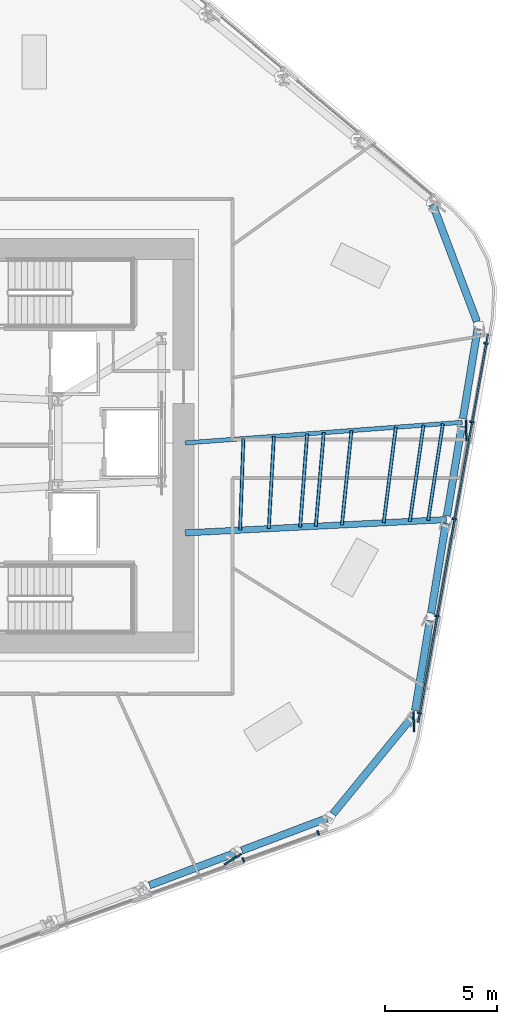
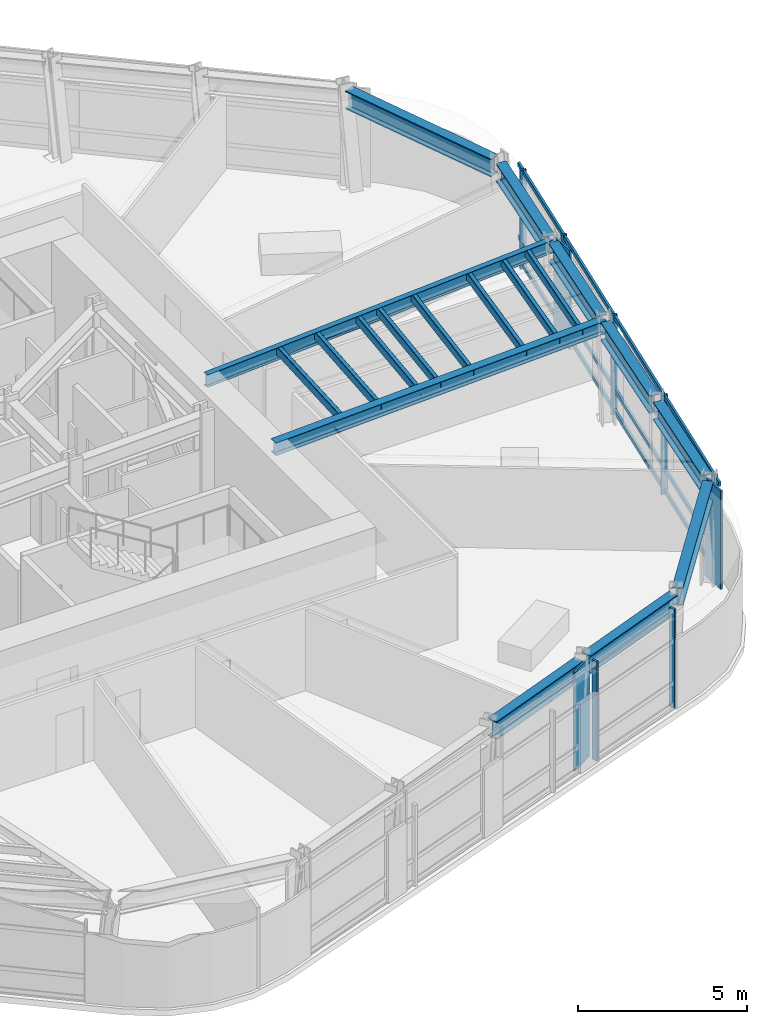
# One storey, part 5 of 18: 22 members, 10 beams, 2 elements without a shape of their own.
"""IFC4 building model written with IfcOpenShell, lengths in metres."""

from ifc_helpers import new_model, si_unit, direction, frame, origin, origin_2d, place, context, subcontext, project, spatial, rectangle, hollow_rectangle, i_section, extrude, material, layer, layer_set, material_profile, profile_set, type_object, element, aggregate, save


model = new_model("IFC4")

# Units and contexts
model_context = context("Model", 3, precision=1e-05, world=origin(), true_north=direction((0.0, 1.0)))
body_context = subcontext(model_context, "Body", "Model", "MODEL_VIEW")
ifc_project = project(units=[si_unit("LENGTHUNIT", "METRE"), si_unit("AREAUNIT", "SQUARE_METRE"), si_unit("VOLUMEUNIT", "CUBIC_METRE"), si_unit("PLANEANGLEUNIT", "RADIAN"), si_unit("MASSUNIT", "GRAM", prefix="KILO")], contexts=[model_context])

# Site, building, storey
site_placement = place(None, origin())
site = spatial("IfcSite", under=ifc_project, at=site_placement, CompositionType="ELEMENT")
building_placement = place(site_placement, origin())
building = spatial("IfcBuilding", under=site, at=building_placement, Name="Valkerne Bourse Tower", CompositionType="ELEMENT")
storey_placement = place(building_placement, frame((0.0, 0.0, 108.60009765625)))
storey = spatial("IfcBuildingStorey", under=building, at=storey_placement, Name="L27", CompositionType="ELEMENT", Elevation=108.60009765625)

# Beams
ifc_material_1 = material(Name="Steel ASTM A992", Category="steel")
ifc_material_profile_1 = material_profile(ifc_material_1, i_section(OverallWidth=0.1904296875, OverallDepth=0.457275390625, WebThickness=0.009033203125, FlangeThickness=0.014404296875, FilletRadius=0.01513671875, at=origin_2d()), Name="W18X50")
ifc_profile_set_1 = profile_set([ifc_material_profile_1], Name="Steel ASTM A992")
beam_type_1 = type_object("IfcBeamType", Name="BM-W18X50", PredefinedType="JOIST", material=ifc_profile_set_1)
beam_1_placement = place(storey_placement, frame((68.31884765625, 27.91748046875, 3.351318359375), z_axis=(-0.99723801501, -0.074272076983, 0.0), x_axis=(0.074272076983, -0.99723801501, 0.0)))
element("IfcBeam", 1, at=beam_1_placement, inside=storey, type_object=beam_type_1, Name="L27 Radial Composite Floor Beam 28", PredefinedType="JOIST", context=body_context, shape_type="SweptSolid", body=[
    extrude(i_section(OverallWidth=0.1904296875, OverallDepth=0.457275390625, WebThickness=0.009033203125, FlangeThickness=0.014404296875, FilletRadius=0.01513671875, at=origin_2d()), origin(), (0.0, 0.0, 1.0), 12.35302734375),
])
ifc_material_profile_2 = material_profile(ifc_material_1, i_section(OverallWidth=0.279296875, OverallDepth=0.46240234375, WebThickness=0.0107421875, FlangeThickness=0.017333984375, FilletRadius=0.017822265625, at=origin_2d()), Name="W18X76")
ifc_profile_set_2 = profile_set([ifc_material_profile_2], Name="Steel ASTM A992")
beam_type_2 = type_object("IfcBeamType", Name="BM-W18X76", PredefinedType="BEAM", material=ifc_profile_set_2)
beam_2_placement = place(storey_placement, frame((67.610595703125, 23.592041015625, 3.348876953125), z_axis=(-0.998702466196, -0.050925278729, 0.0), x_axis=(0.050925278729, -0.998702466196, 0.0)))
element("IfcBeam", 2, at=beam_2_placement, inside=storey, type_object=beam_type_2, Name="L27 Radial Composite Floor Beam 27", PredefinedType="BEAM", context=body_context, shape_type="SweptSolid", body=[
    extrude(i_section(OverallWidth=0.279296875, OverallDepth=0.46240234375, WebThickness=0.0107421875, FlangeThickness=0.017333984375, FilletRadius=0.017822265625, at=origin_2d()), origin(), (0.0, 0.0, 1.0), 11.625732421875),
])
ifc_material_profile_3 = material_profile(ifc_material_1, i_section(OverallWidth=0.330078125, OverallDepth=0.647705078125, WebThickness=0.0205078125, FlangeThickness=0.037109375, FilletRadius=0.020263671875, at=origin_2d()), Name="W24X192")
ifc_profile_set_3 = profile_set([ifc_material_profile_3], Name="Steel ASTM A992")
beam_type_3 = type_object("IfcBeamType", Name="BM-W24X192", PredefinedType="SPANDREL", material=ifc_profile_set_3)
beam_3_placement = place(storey_placement, frame((54.4130859375, 7.333740234375, 3.256103515625), z_axis=(0.935455234344, 0.353445193119, 0.0), x_axis=(-0.353445193119, 0.935455234344, 0.0)))
element("IfcBeam", 3, at=beam_3_placement, inside=storey, type_object=beam_type_3, Name="L27 Hexagonal Spandrel Ring Beam 22", PredefinedType="SPANDREL", context=body_context, shape_type="SweptSolid", body=[
    extrude(i_section(OverallWidth=0.330078125, OverallDepth=0.647705078125, WebThickness=0.0205078125, FlangeThickness=0.037109375, FilletRadius=0.020263671875, at=origin_2d()), origin(), (0.0, 0.0, 1.0), 4.04296875),
])
beam_4_placement = place(storey_placement, frame((58.512939453125, 8.883056640625, 3.256103515625), z_axis=(0.935462777462, 0.353425228278, 0.0), x_axis=(-0.353425228278, 0.935462777462, 0.0)))
element("IfcBeam", 4, at=beam_4_placement, inside=storey, type_object=beam_type_3, Name="L27 Hexagonal Spandrel Ring Beam 23", PredefinedType="SPANDREL", context=body_context, shape_type="SweptSolid", body=[
    extrude(i_section(OverallWidth=0.330078125, OverallDepth=0.647705078125, WebThickness=0.0205078125, FlangeThickness=0.037109375, FilletRadius=0.020263671875, at=origin_2d()), origin(), (0.0, 0.0, 1.0), 4.043212890625),
])
beam_5_placement = place(storey_placement, frame((62.561767578125, 10.50390625, 3.256103515625), z_axis=(0.633388302031, 0.77383412877, 0.0), x_axis=(-0.77383412877, 0.633388302031, 0.0)))
element("IfcBeam", 5, at=beam_5_placement, inside=storey, type_object=beam_type_3, Name="L27 Hexagonal Spandrel Ring Beam 24", PredefinedType="SPANDREL", context=body_context, shape_type="SweptSolid", body=[
    extrude(i_section(OverallWidth=0.330078125, OverallDepth=0.647705078125, WebThickness=0.0205078125, FlangeThickness=0.037109375, FilletRadius=0.020263671875, at=origin_2d()), origin(), (0.0, 0.0, 1.0), 5.564453125),
])
beam_6_placement = place(storey_placement, frame((66.221435546875, 15.109130859375, 3.256103515625), z_axis=(0.161588008685, 0.986858305659, 0.0), x_axis=(-0.986858305659, 0.161588008685, 0.0)))
element("IfcBeam", 6, at=beam_6_placement, inside=storey, type_object=beam_type_3, Name="L27 Hexagonal Spandrel Ring Beam 25", PredefinedType="SPANDREL", context=body_context, shape_type="SweptSolid", body=[
    extrude(i_section(OverallWidth=0.330078125, OverallDepth=0.647705078125, WebThickness=0.0205078125, FlangeThickness=0.037109375, FilletRadius=0.020263671875, at=origin_2d()), origin(), (0.0, 0.0, 1.0), 4.043212890625),
])
for number, where, z_axis, x_axis, name in (
    (7, (66.9296875, 19.4345703125, 3.256103515625), (0.161597638379, 0.986856728847, 0.0), (-0.986856728847, 0.161597638379, 0.0), "L27 Hexagonal Spandrel Ring Beam 26"),
    (8, (67.637939453125, 23.760009765625, 3.256103515625), (0.161597638379, 0.986856728847, 0.0), (-0.986856728847, 0.161597638379, 0.0), "L27 Hexagonal Spandrel Ring Beam 27"),
):
    element("IfcBeam", number, at=place(storey_placement, frame(where, z_axis=z_axis, x_axis=x_axis)), inside=storey, type_object=beam_type_3, Name=name, PredefinedType="SPANDREL", context=body_context, shape_type="SweptSolid", body=[
        extrude(i_section(OverallWidth=0.330078125, OverallDepth=0.647705078125, WebThickness=0.0205078125, FlangeThickness=0.037109375, FilletRadius=0.020263671875, at=origin_2d()), origin(), (0.0, 0.0, 1.0), 4.04296875),
    ])
beam_7_placement = place(storey_placement, frame((68.34619140625, 28.085205078125, 3.256103515625), z_axis=(0.161646815312, 0.986848674874, 0.0), x_axis=(-0.986848674874, 0.161646815312, 0.0)))
element("IfcBeam", 9, at=beam_7_placement, inside=storey, type_object=beam_type_3, Name="L27 Hexagonal Spandrel Ring Beam 28", PredefinedType="SPANDREL", context=body_context, shape_type="SweptSolid", body=[
    extrude(i_section(OverallWidth=0.330078125, OverallDepth=0.647705078125, WebThickness=0.0205078125, FlangeThickness=0.037109375, FilletRadius=0.020263671875, at=origin_2d()), origin(), (0.0, 0.0, 1.0), 4.043212890625),
])
beam_8_placement = place(storey_placement, frame((68.967041015625, 32.40185546875, 3.256103515625), z_axis=(-0.353478206483, 0.935442760163, 0.0), x_axis=(-0.935442760163, -0.353478206483, 0.0)))
element("IfcBeam", 10, at=beam_8_placement, inside=storey, type_object=beam_type_3, Name="L27 Hexagonal Spandrel Ring Beam 29", PredefinedType="SPANDREL", context=body_context, shape_type="SweptSolid", body=[
    extrude(i_section(OverallWidth=0.330078125, OverallDepth=0.647705078125, WebThickness=0.0205078125, FlangeThickness=0.037109375, FilletRadius=0.020263671875, at=origin_2d()), origin(), (0.0, 0.0, 1.0), 5.564697265625),
])

# Curtain wall, members
ifc_material_2 = material(Name="Aluminium AA 6063-T6", Category="aluminium")
ifc_layer = layer(ifc_material_2, 0.22998046875)
ifc_layer_set = layer_set([ifc_layer], Name="Aluminium AA 6063-T6")
curtain_wall_type = type_object("IfcCurtainWallType", Name="CW-02", PredefinedType="NOTDEFINED", material=ifc_layer_set)
curtain_wall_1_placement = place(storey_placement, origin())
curtain_wall_1 = element("IfcCurtainWall", 11, at=curtain_wall_1_placement, inside=storey, type_object=curtain_wall_type, Name="L27 Hexagonal Stick Curtain Wall Face 5", PredefinedType="NOTDEFINED")
ifc_material_profile_4 = material_profile(ifc_material_2, rectangle(XDim=0.074951171875, YDim=0.199951171875, at=origin_2d()), Name="CWM-75X200")
ifc_profile_set_4 = profile_set([ifc_material_profile_4], Name="Aluminium AA 6063-T6")
member_type_1 = type_object("IfcMemberType", Name="CW-MUL-220X75", PredefinedType="MULLION", material=ifc_profile_set_4)
member_1_placement = place(storey_placement, frame((58.577392578125, 8.466064453125, 0.0), z_axis=(0.0, 0.0, 1.0), x_axis=(0.940887702719, 0.338718660355, 0.0)))
member_1 = element("IfcMember", 12, at=member_1_placement, type_object=member_type_1, Name="CW-L27-F5 Jamb Mullion 03A", PredefinedType="MULLION", context=body_context, shape_type="SweptSolid", body=[
    extrude(rectangle(XDim=0.074951171875, YDim=0.199951171875, at=origin_2d()), origin(), (0.0, 0.0, 1.0), 3.579833984375),
])
member_2_placement = place(storey_placement, frame((61.910888671875, 9.666015625, 0.0), z_axis=(0.0, 0.0, 1.0), x_axis=(0.940887702719, 0.338718660355, 0.0)))
member_2 = element("IfcMember", 13, at=member_2_placement, type_object=member_type_1, Name="CW-L27-F5 Jamb Mullion 03B", PredefinedType="MULLION", context=body_context, shape_type="SweptSolid", body=[
    extrude(rectangle(XDim=0.074951171875, YDim=0.199951171875, at=origin_2d()), origin(), (0.0, 0.0, 1.0), 3.579833984375),
])
aggregate(curtain_wall_1, [member_1, member_2])

curtain_wall_2_placement = place(storey_placement, origin())
curtain_wall_2 = element("IfcCurtainWall", 14, at=curtain_wall_2_placement, inside=storey, type_object=curtain_wall_type, Name="L27 Hexagonal Stick Curtain Wall Face 6", PredefinedType="NOTDEFINED")
member_3_placement = place(storey_placement, frame((66.4111328125, 14.991455078125, 0.0), z_axis=(0.0, 0.0, 1.0), x_axis=(0.177090236741, 0.984194618991, 0.0)))
member_3 = element("IfcMember", 15, at=member_3_placement, type_object=member_type_1, Name="CW-L27-F6 Jamb Mullion 00A", PredefinedType="MULLION", context=body_context, shape_type="SweptSolid", body=[
    extrude(rectangle(XDim=0.074951171875, YDim=0.199951171875, at=origin_2d()), origin(), (0.0, 0.0, 1.0), 3.579833984375),
])
member_4_placement = place(storey_placement, frame((67.187255859375, 19.30517578125, 0.0), z_axis=(0.0, 0.0, 1.0), x_axis=(0.177072113159, 0.98419787987, 0.0)))
member_4 = element("IfcMember", 16, at=member_4_placement, type_object=member_type_1, Name="CW-L27-F6 Jamb Mullion 01A", PredefinedType="MULLION", context=body_context, shape_type="SweptSolid", body=[
    extrude(rectangle(XDim=0.074951171875, YDim=0.199951171875, at=origin_2d()), origin(), (0.0, 0.0, 1.0), 3.579833984375),
])
member_5_placement = place(storey_placement, frame((67.96337890625, 23.618896484375, 0.0), z_axis=(0.0, 0.0, 1.0), x_axis=(0.177094213282, 0.984193903467, 0.0)))
member_5 = element("IfcMember", 17, at=member_5_placement, type_object=member_type_1, Name="CW-L27-F6 Jamb Mullion 02A", PredefinedType="MULLION", context=body_context, shape_type="SweptSolid", body=[
    extrude(rectangle(XDim=0.074951171875, YDim=0.199951171875, at=origin_2d()), origin(), (0.0, 0.0, 1.0), 3.579833984375),
])
member_6_placement = place(storey_placement, frame((68.739501953125, 27.9326171875, 0.0), z_axis=(0.0, 0.0, 1.0), x_axis=(0.177094213282, 0.984193903467, 0.0)))
member_6 = element("IfcMember", 18, at=member_6_placement, type_object=member_type_1, Name="CW-L27-F6 Jamb Mullion 03A", PredefinedType="MULLION", context=body_context, shape_type="SweptSolid", body=[
    extrude(rectangle(XDim=0.074951171875, YDim=0.199951171875, at=origin_2d()), origin(), (0.0, 0.0, 1.0), 3.579833984375),
])
member_7_placement = place(storey_placement, frame((69.366943359375, 31.41943359375, 0.0), z_axis=(0.0, 0.0, 1.0), x_axis=(0.177094213282, 0.984193903467, 0.0)))
member_7 = element("IfcMember", 19, at=member_7_placement, type_object=member_type_1, Name="CW-L27-F6 Jamb Mullion 03B", PredefinedType="MULLION", context=body_context, shape_type="SweptSolid", body=[
    extrude(rectangle(XDim=0.074951171875, YDim=0.199951171875, at=origin_2d()), origin(), (0.0, 0.0, 1.0), 3.579833984375),
])
ifc_material_profile_5 = material_profile(ifc_material_2, rectangle(XDim=0.074951171875, YDim=0.14990234375, at=origin_2d()), Name="CWT-75X150")
ifc_profile_set_5 = profile_set([ifc_material_profile_5], Name="Aluminium AA 6063-T6")
member_type_2 = type_object("IfcMemberType", Name="CW-TRN-180X65", PredefinedType="USERDEFINED", material=ifc_profile_set_5)
member_8_placement = place(storey_placement, frame((66.3564453125, 14.574462890625, 0.119873046875), z_axis=(0.177089872149, 0.984194684594, 0.0), x_axis=(-0.984194684594, 0.177089872149, 0.0)))
member_8 = element("IfcMember", 20, at=member_8_placement, type_object=member_type_2, Name="CW-L27-F6 Continuous Face Transom 1", ObjectType="TRANSOM", PredefinedType="USERDEFINED", context=body_context, shape_type="SweptSolid", body=[
    extrude(rectangle(XDim=0.074951171875, YDim=0.14990234375, at=origin_2d()), origin(), (0.0, 0.0, 1.0), 17.531982421875),
])
member_9_placement = place(storey_placement, frame((66.3564453125, 14.574462890625, 0.89990234375), z_axis=(0.177089872149, 0.984194684594, 0.0), x_axis=(-0.984194684594, 0.177089872149, 0.0)))
member_9 = element("IfcMember", 21, at=member_9_placement, type_object=member_type_2, Name="CW-L27-F6 Continuous Face Transom 2", ObjectType="TRANSOM", PredefinedType="USERDEFINED", context=body_context, shape_type="SweptSolid", body=[
    extrude(rectangle(XDim=0.074951171875, YDim=0.14990234375, at=origin_2d()), origin(), (0.0, 0.0, 1.0), 17.531982421875),
])
member_10_placement = place(storey_placement, frame((66.3564453125, 14.574462890625, 2.39990234375), z_axis=(0.177089872149, 0.984194684594, 0.0), x_axis=(-0.984194684594, 0.177089872149, 0.0)))
member_10 = element("IfcMember", 22, at=member_10_placement, type_object=member_type_2, Name="CW-L27-F6 Continuous Face Transom 3", ObjectType="TRANSOM", PredefinedType="USERDEFINED", context=body_context, shape_type="SweptSolid", body=[
    extrude(rectangle(XDim=0.074951171875, YDim=0.14990234375, at=origin_2d()), origin(), (0.0, 0.0, 1.0), 17.531982421875),
])
member_11_placement = place(storey_placement, frame((66.3564453125, 14.574462890625, 3.5), z_axis=(0.177089872149, 0.984194684594, 0.0), x_axis=(-0.984194684594, 0.177089872149, 0.0)))
member_11 = element("IfcMember", 23, at=member_11_placement, type_object=member_type_2, Name="CW-L27-F6 Continuous Face Transom 4", ObjectType="TRANSOM", PredefinedType="USERDEFINED", context=body_context, shape_type="SweptSolid", body=[
    extrude(rectangle(XDim=0.074951171875, YDim=0.14990234375, at=origin_2d()), origin(), (0.0, 0.0, 1.0), 17.531982421875),
])
aggregate(curtain_wall_2, [member_8, member_9, member_10, member_11, member_3, member_4, member_5, member_6, member_7])

# Members
ifc_material_3 = material(Name="Bronze Anodised Aluminium AA 6063-T6", Category="aluminium")
ifc_material_profile_6 = material_profile(ifc_material_3, rectangle(XDim=0.070068359375, YDim=0.89990234375, at=origin_2d()), Name="FIN-70X900")
ifc_profile_set_6 = profile_set([ifc_material_profile_6], Name="Bronze Anodised Aluminium AA 6063-T6")
member_type_3 = type_object("IfcMemberType", Name="FIN-SOLAR-900", PredefinedType="USERDEFINED", material=ifc_profile_set_6)
for number, where, z_axis, x_axis, name in (
    (24, (58.121337890625, 8.4931640625, 0.00390625), (0.0, 0.0, 1.0), (0.529320072457, -0.848422218529, 0.0), "L27 Bronze Anodised Solar Fin F5-03"),
    (25, (66.15966796875, 14.60986328125, 0.00390625), (0.0, 0.0, 1.0), (0.999457565076, 0.03293289561, 0.0), "L27 Bronze Anodised Solar Fin F6-00"),
    (26, (68.488037109375, 27.551025390625, 0.00390625), (0.0, 0.0, 1.0), (0.999457681728, 0.032929355211, 0.0), "L27 Bronze Anodised Solar Fin F6-03"),
):
    element("IfcMember", number, at=place(storey_placement, frame(where, z_axis=z_axis, x_axis=x_axis)), inside=storey, type_object=member_type_3, Name=name, ObjectType="SOLAR_FIN", PredefinedType="USERDEFINED", context=body_context, shape_type="SweptSolid", body=[
        extrude(rectangle(XDim=0.070068359375, YDim=0.89990234375, at=origin_2d()), origin(), (0.0, 0.0, 1.0), 3.572021484375),
    ])
ifc_material_4 = material(Name="Steel ASTM A500 Grade C", Category="steel")
ifc_material_profile_7 = material_profile(ifc_material_4, hollow_rectangle(XDim=0.14990234375, YDim=0.300048828125, WallThickness=0.012451171875, OuterFilletRadius=0.02490234375, at=origin_2d()), Name="HSS300X150X12.5")
ifc_profile_set_7 = profile_set([ifc_material_profile_7], Name="Steel ASTM A500 Grade C")
member_type_4 = type_object("IfcMemberType", Name="MBR-HSS300X150X12.5", PredefinedType="PURLIN", material=ifc_profile_set_7)
member_12_placement = place(storey_placement, frame((59.71533203125, 23.189453125, 3.419921875), z_axis=(0.055118035617, 0.99847984564, 0.0), x_axis=(-0.99847984564, 0.055118035617, 0.0)))
element("IfcMember", 27, at=member_12_placement, inside=storey, type_object=member_type_4, Name="L27 Secondary Composite Floor Purlin I-27", PredefinedType="PURLIN", context=body_context, shape_type="SweptSolid", body=[
    extrude(hollow_rectangle(XDim=0.14990234375, YDim=0.300048828125, WallThickness=0.012451171875, OuterFilletRadius=0.02490234375, at=origin_2d()), origin(), (0.0, 0.0, 1.0), 4.110595703125),
])
member_13_placement = place(storey_placement, frame((61.108642578125, 23.260498046875, 3.419921875), z_axis=(0.075033888225, 0.997180984384, 0.0), x_axis=(-0.997180984384, 0.075033888225, 0.0)))
element("IfcMember", 28, at=member_13_placement, inside=storey, type_object=member_type_4, Name="L27 Secondary Composite Floor Purlin K-27", PredefinedType="PURLIN", context=body_context, shape_type="SweptSolid", body=[
    extrude(hollow_rectangle(XDim=0.14990234375, YDim=0.300048828125, WallThickness=0.012451171875, OuterFilletRadius=0.02490234375, at=origin_2d()), origin(), (0.0, 0.0, 1.0), 4.155029296875),
])
member_14_placement = place(storey_placement, frame((61.805419921875, 23.296142578125, 3.419921875), z_axis=(0.084738107014, 0.996403258335, 0.0), x_axis=(-0.996403258335, 0.084738107014, 0.0)))
element("IfcMember", 29, at=member_14_placement, inside=storey, type_object=member_type_4, Name="L27 Secondary Composite Floor Purlin M-27", PredefinedType="PURLIN", context=body_context, shape_type="SweptSolid", body=[
    extrude(hollow_rectangle(XDim=0.14990234375, YDim=0.300048828125, WallThickness=0.012451171875, OuterFilletRadius=0.02490234375, at=origin_2d()), origin(), (0.0, 0.0, 1.0), 4.177734375),
])
member_15_placement = place(storey_placement, frame((64.823974609375, 23.449951171875, 3.419921875), z_axis=(0.125740036333, 0.992063225436, 0.0), x_axis=(-0.992063225436, 0.125740036333, 0.0)))
element("IfcMember", 30, at=member_15_placement, inside=storey, type_object=member_type_4, Name="L27 Secondary Composite Floor Purlin O-27", PredefinedType="PURLIN", context=body_context, shape_type="SweptSolid", body=[
    extrude(hollow_rectangle(XDim=0.14990234375, YDim=0.300048828125, WallThickness=0.012451171875, OuterFilletRadius=0.02490234375, at=origin_2d()), origin(), (0.0, 0.0, 1.0), 4.28125),
])
member_16_placement = place(storey_placement, frame((62.96630859375, 23.355224609375, 3.419921875), z_axis=(0.100799157894, 0.994906794513, 0.0), x_axis=(-0.994906794513, 0.100799157894, 0.0)))
element("IfcMember", 31, at=member_16_placement, inside=storey, type_object=member_type_4, Name="L27 Secondary Composite Floor Purlin Z-27", PredefinedType="PURLIN", context=body_context, shape_type="SweptSolid", body=[
    extrude(hollow_rectangle(XDim=0.14990234375, YDim=0.300048828125, WallThickness=0.012451171875, OuterFilletRadius=0.02490234375, at=origin_2d()), origin(), (0.0, 0.0, 1.0), 4.216796875),
])
member_17_placement = place(storey_placement, frame((58.438232421875, 23.124267578125, 3.419921875), z_axis=(0.036521466457, 0.999332868712, 0.0), x_axis=(-0.999332868712, 0.036521466457, 0.0)))
element("IfcMember", 32, at=member_17_placement, inside=storey, type_object=member_type_4, Name="L27 Secondary Composite Floor Purlin S-27", PredefinedType="PURLIN", context=body_context, shape_type="SweptSolid", body=[
    extrude(hollow_rectangle(XDim=0.14990234375, YDim=0.300048828125, WallThickness=0.012451171875, OuterFilletRadius=0.02490234375, at=origin_2d()), origin(), (0.0, 0.0, 1.0), 4.071044921875),
])
member_18_placement = place(storey_placement, frame((65.985107421875, 23.50927734375, 3.419921875), z_axis=(0.140907406359, 0.990022778947, 0.0), x_axis=(-0.990022778947, 0.140907406359, 0.0)))
element("IfcMember", 33, at=member_18_placement, inside=storey, type_object=member_type_4, Name="L27 Secondary Composite Floor Purlin T-27", PredefinedType="PURLIN", context=body_context, shape_type="SweptSolid", body=[
    extrude(hollow_rectangle(XDim=0.14990234375, YDim=0.300048828125, WallThickness=0.012451171875, OuterFilletRadius=0.02490234375, at=origin_2d()), origin(), (0.0, 0.0, 1.0), 4.322998046875),
])
member_19_placement = place(storey_placement, frame((66.7978515625, 23.55078125, 3.419921875), z_axis=(0.151332181682, 0.988482964338, 0.0), x_axis=(-0.988482964338, 0.151332181682, 0.0)))
element("IfcMember", 34, at=member_19_placement, inside=storey, type_object=member_type_4, Name="L27 Secondary Composite Floor Purlin U-27", PredefinedType="PURLIN", context=body_context, shape_type="SweptSolid", body=[
    extrude(hollow_rectangle(XDim=0.14990234375, YDim=0.300048828125, WallThickness=0.012451171875, OuterFilletRadius=0.02490234375, at=origin_2d()), origin(), (0.0, 0.0, 1.0), 4.3525390625),
])

save(model, "model.ifc")
